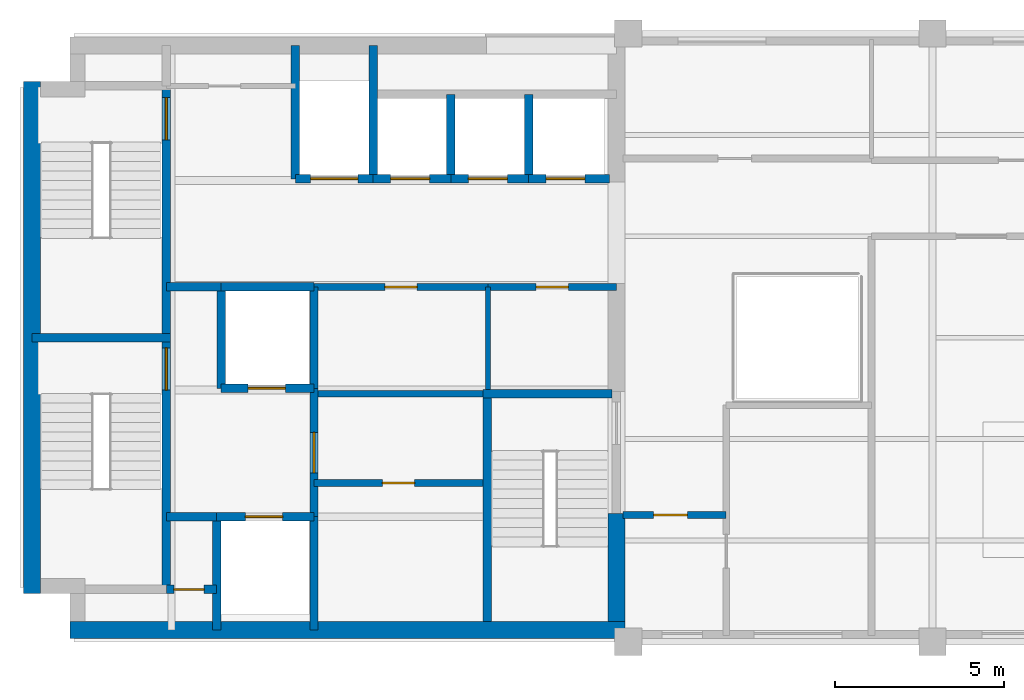
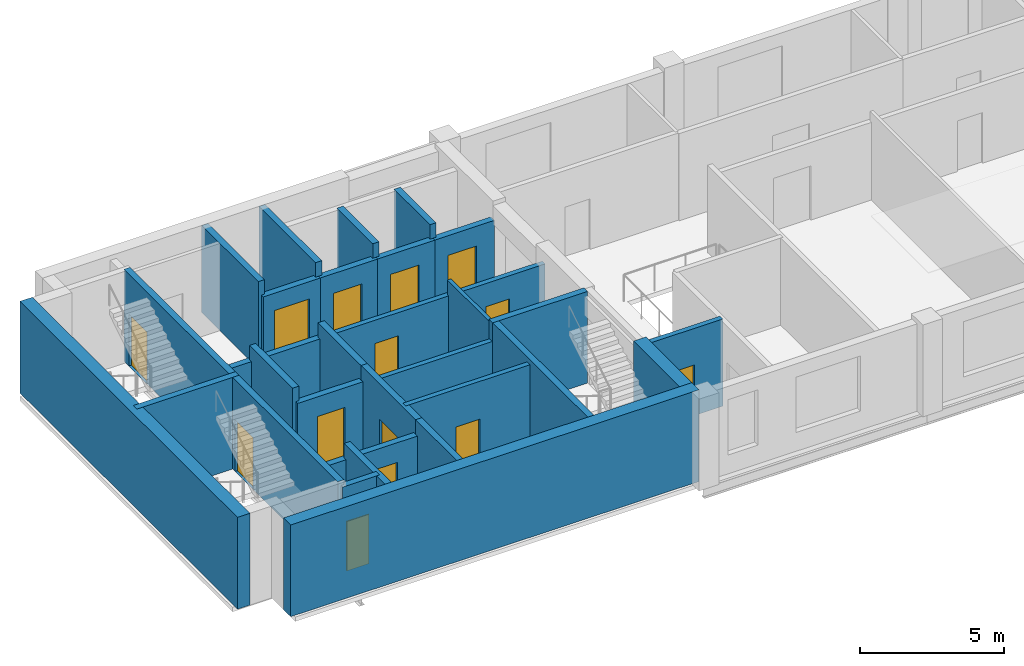
# One storey, part 2 of 5: 33 walls, 14 doors, 14 openings.
"""IFC4 building model written with IfcOpenShell, lengths in metres."""

from ifc_helpers import new_model, si_unit, direction, frame, frame_2d, origin, place, context, subcontext, project, spatial, rectangle, extrude, material, layer, layer_set, type_object, element, fill, save


model = new_model("IFC4")

# Units and contexts
model_context = context("Model", 3, precision=1e-05, world=origin(), true_north=direction((0.0, 1.0)))
body_context = subcontext(model_context, "Body", "Model", "MODEL_VIEW")
ifc_project = project(units=[si_unit("LENGTHUNIT", "METRE"), si_unit("AREAUNIT", "SQUARE_METRE"), si_unit("VOLUMEUNIT", "CUBIC_METRE"), si_unit("PLANEANGLEUNIT", "RADIAN"), si_unit("MASSUNIT", "GRAM", prefix="KILO")], contexts=[model_context])

# Site, building, storey
site_placement = place(None, origin())
site = spatial("IfcSite", under=ifc_project, at=site_placement, CompositionType="ELEMENT")
building_placement = place(site_placement, origin())
building = spatial("IfcBuilding", under=site, at=building_placement, Name="Mawjdan Bourse Tower", CompositionType="ELEMENT")
storey_placement = place(building_placement, frame((0.0, 0.0, 278.10009765625)))
storey = spatial("IfcBuildingStorey", under=building, at=storey_placement, Name="L68", CompositionType="ELEMENT", Elevation=278.10009765625)

# Wall, opening, door
ifc_material_1 = material(Name="Gypsum Fireboard Assembly")
ifc_layer_1 = layer(ifc_material_1, 0.199951171875)
ifc_layer_set_1 = layer_set([ifc_layer_1], Name="Gypsum Fireboard Assembly")
wall_type_1 = type_object("IfcWallType", Name="WL-CMP-200", PredefinedType="PARTITIONING", material=ifc_layer_set_1)
wall_1_placement = place(storey_placement, frame((14.699951171875, 7.699951171875, 0.0), z_axis=(0.0, 0.0, 1.0), x_axis=(1.0, 0.0, 0.0)))
wall_1 = element("IfcWall", 1, at=wall_1_placement, inside=storey, type_object=wall_type_1, Name="L68 Staff Tea Pantry North Wall", PredefinedType="PARTITIONING", context=body_context, shape_type="SweptSolid", body=[
    extrude(rectangle(XDim=5.0, YDim=0.199951171875, at=frame_2d((2.5, 0.0))), origin(), (0.0, 0.0, 1.0), 3.704833984375),
])
opening_1_placement = place(wall_1_placement, frame((2.02490234375, 0.0, 0.0)))
opening_1 = element("IfcOpeningElement", 2, at=opening_1_placement, cuts=wall_1, Name="Opening D-L68-13", PredefinedType="OPENING", context=body_context, shape_type="SweptSolid", body=[
    extrude(rectangle(XDim=0.949951171875, YDim=2.10009765625, at=frame_2d((0.47509765625, 1.050048828125))), frame((0.0, 0.10986328125, 0.0), z_axis=(0.0, -1.0, 0.0), x_axis=(1.0, 0.0, 0.0)), (0.0, 0.0, 1.0), 0.219970703125),
])
ifc_material_2 = material(Name="Moisture-Resistant Laminate Timber", Category="wood")
door_type_1 = type_object("IfcDoorType", Name="DR-WET-0950", OperationType="NOTDEFINED", PredefinedType="DOOR", material=ifc_material_2)
door_1_placement = place(opening_1_placement, origin())
door_1 = element("IfcDoor", 3, at=door_1_placement, inside=storey, type_object=door_type_1, Name="L68 Staff Tea Pantry Door D-L68-13", OperationType="SINGLE_SWING_LEFT", OverallHeight=2.10009765625, OverallWidth=0.949951171875, PredefinedType="DOOR", context=body_context, shape_type="SweptSolid", body=[
    extrude(rectangle(XDim=0.949951171875, YDim=2.10009765625, at=frame_2d((0.47509765625, 1.050048828125))), frame((0.0, 0.02490234375, 0.0), z_axis=(0.0, -1.0, 0.0), x_axis=(1.0, 0.0, 0.0)), (0.0, 0.0, 1.0), 0.050048828125),
])
fill(opening_1, door_1)

# Wall
wall_2_placement = place(storey_placement, frame((14.824951171875, 10.340087890625, 0.0), z_axis=(0.0, 0.0, 1.0), x_axis=(1.0, 0.0, 0.0)))
element("IfcWall", 4, at=wall_2_placement, inside=storey, type_object=wall_type_1, Name="L68 Core Restroom Suite South Wall", PredefinedType="PARTITIONING", context=body_context, shape_type="SweptSolid", body=[
    extrude(rectangle(XDim=4.880126953125, YDim=0.199951171875, at=frame_2d((2.43994140625, 0.0))), origin(), (0.0, 0.0, 1.0), 3.087890625),
])

# Wall, opening, door
wall_3_placement = place(storey_placement, frame((14.699951171875, 13.5, 0.0), z_axis=(0.0, 0.0, 1.0), x_axis=(1.0, 0.0, 0.0)))
wall_3 = element("IfcWall", 5, at=wall_3_placement, inside=storey, type_object=wall_type_1, Name="L68 Accessible WC North Wall", PredefinedType="PARTITIONING", context=body_context, shape_type="SweptSolid", body=[
    extrude(rectangle(XDim=5.150146484375, YDim=0.199951171875, at=frame_2d((2.5751953125, 0.0))), origin(), (0.0, 0.0, 1.0), 3.087890625),
])
opening_2_placement = place(wall_3_placement, frame((2.10009765625, 0.0, 0.0)))
opening_2 = element("IfcOpeningElement", 6, at=opening_2_placement, cuts=wall_3, Name="Opening D-L68-14", PredefinedType="OPENING", context=body_context, shape_type="SweptSolid", body=[
    extrude(rectangle(XDim=0.949951171875, YDim=2.10009765625, at=frame_2d((0.47509765625, 1.050048828125))), frame((0.0, 0.10986328125, 0.0), z_axis=(0.0, -1.0, 0.0), x_axis=(1.0, 0.0, 0.0)), (0.0, 0.0, 1.0), 0.219970703125),
])
door_2_placement = place(opening_2_placement, origin())
door_2 = element("IfcDoor", 7, at=door_2_placement, inside=storey, type_object=door_type_1, Name="L68 Accessible WC Door D-L68-14", OperationType="SINGLE_SWING_RIGHT", OverallHeight=2.10009765625, OverallWidth=0.949951171875, PredefinedType="DOOR", context=body_context, shape_type="SweptSolid", body=[
    extrude(rectangle(XDim=0.949951171875, YDim=2.10009765625, at=frame_2d((0.47509765625, 1.050048828125))), frame((0.0, 0.02490234375, 0.0), z_axis=(0.0, -1.0, 0.0), x_axis=(1.0, 0.0, 0.0)), (0.0, 0.0, 1.0), 0.050048828125),
])
fill(opening_2, door_2)

wall_4_placement = place(storey_placement, frame((19.85009765625, 13.5, 0.0), z_axis=(0.0, 0.0, 1.0), x_axis=(1.0, 0.0, 0.0)))
wall_4 = element("IfcWall", 8, at=wall_4_placement, inside=storey, type_object=wall_type_1, Name="L68 Executive Restroom Suite North Wall", PredefinedType="PARTITIONING", context=body_context, shape_type="SweptSolid", body=[
    extrude(rectangle(XDim=3.7998046875, YDim=0.199951171875, at=frame_2d((1.89990234375, 0.0))), origin(), (0.0, 0.0, 1.0), 3.087890625),
])
opening_3_placement = place(wall_4_placement, frame((1.425048828125, 0.0, 0.0)))
opening_3 = element("IfcOpeningElement", 9, at=opening_3_placement, cuts=wall_4, Name="Opening D-L68-15", PredefinedType="OPENING", context=body_context, shape_type="SweptSolid", body=[
    extrude(rectangle(XDim=0.949951171875, YDim=2.10009765625, at=frame_2d((0.47509765625, 1.050048828125))), frame((0.0, 0.10986328125, 0.0), z_axis=(0.0, -1.0, 0.0), x_axis=(1.0, 0.0, 0.0)), (0.0, 0.0, 1.0), 0.219970703125),
])
door_3_placement = place(opening_3_placement, origin())
door_3 = element("IfcDoor", 10, at=door_3_placement, inside=storey, type_object=door_type_1, Name="L68 Executive Restroom Suite Door D-L68-15", OperationType="SINGLE_SWING_LEFT", OverallHeight=2.10009765625, OverallWidth=0.949951171875, PredefinedType="DOOR", context=body_context, shape_type="SweptSolid", body=[
    extrude(rectangle(XDim=0.949951171875, YDim=2.10009765625, at=frame_2d((0.47509765625, 1.050048828125))), frame((0.0, 0.02490234375, 0.0), z_axis=(0.0, -1.0, 0.0), x_axis=(1.0, 0.0, 0.0)), (0.0, 0.0, 1.0), 0.050048828125),
])
fill(opening_3, door_3)

wall_5_placement = place(storey_placement, frame((23.85009765625, 6.75, 0.0), z_axis=(0.0, 0.0, 1.0), x_axis=(1.0, 0.0, 0.0)))
wall_5 = element("IfcWall", 11, at=wall_5_placement, inside=storey, type_object=wall_type_1, Name="L68 Summit SW Study North Wall", PredefinedType="PARTITIONING", context=body_context, shape_type="SweptSolid", body=[
    extrude(rectangle(XDim=3.0498046875, YDim=0.199951171875, at=frame_2d((1.52490234375, 0.0))), origin(), (0.0, 0.0, 1.0), 3.704833984375),
])
opening_4_placement = place(wall_5_placement, frame((0.89990234375, 0.0, 0.0)))
opening_4 = element("IfcOpeningElement", 12, at=opening_4_placement, cuts=wall_5, Name="Opening D-L68-17", PredefinedType="OPENING", context=body_context, shape_type="SweptSolid", body=[
    extrude(rectangle(XDim=1.0, YDim=2.14990234375, at=frame_2d((0.5, 1.074951171875))), frame((0.0, 0.10986328125, 0.0), z_axis=(0.0, -1.0, 0.0), x_axis=(1.0, 0.0, 0.0)), (0.0, 0.0, 1.0), 0.219970703125),
])
ifc_material_3 = material(Name="Hardwood Acoustic Leaf", Category="wood")
door_type_2 = type_object("IfcDoorType", Name="DR-OFC-1000", OperationType="NOTDEFINED", PredefinedType="DOOR", material=ifc_material_3)
door_4_placement = place(opening_4_placement, origin())
door_4 = element("IfcDoor", 13, at=door_4_placement, inside=storey, type_object=door_type_2, Name="L68 Summit SW Study Door D-L68-17", OperationType="SINGLE_SWING_LEFT", OverallHeight=2.14990234375, OverallWidth=1.0, PredefinedType="DOOR", context=body_context, shape_type="SweptSolid", body=[
    extrude(rectangle(XDim=1.0, YDim=2.14990234375, at=frame_2d((0.5, 1.074951171875))), frame((0.0, 0.02490234375, 0.0), z_axis=(0.0, -1.0, 0.0), x_axis=(1.0, 0.0, 0.0)), (0.0, 0.0, 1.0), 0.050048828125),
])
fill(opening_4, door_4)

# Walls
ifc_material_4 = material(Name="Concrete C60/75", Category="concrete")
ifc_layer_2 = layer(ifc_material_4, 0.5)
ifc_layer_set_2 = layer_set([ifc_layer_2], Name="Concrete C60/75")
wall_type_2 = type_object("IfcWallType", Name="WL-CORE-500", PredefinedType="SHEAR", material=ifc_layer_set_2)
wall_6_placement = place(storey_placement, frame((7.47509765625, 3.35009765625, 0.0), z_axis=(0.0, 0.0, 1.0), x_axis=(1.0, 0.0, 0.0)))
element("IfcWall", 14, at=wall_6_placement, inside=storey, type_object=wall_type_2, Name="L68 Rear Core Shear Wall S", PredefinedType="SHEAR", context=body_context, shape_type="SweptSolid", body=[
    extrude(rectangle(XDim=16.4248046875, YDim=0.5, at=frame_2d((8.21240234375, 0.0))), origin(), (0.0, 0.0, 1.0), 3.89990234375),
])
wall_7_placement = place(storey_placement, frame((6.35009765625, 4.425048828125, 0.0), z_axis=(0.0, 0.0, 1.0), x_axis=(0.0, 1.0, 0.0)))
element("IfcWall", 15, at=wall_7_placement, inside=storey, type_object=wall_type_2, Name="L68 Rear Core Shear Wall W", PredefinedType="SHEAR", context=body_context, shape_type="SweptSolid", body=[
    extrude(rectangle(XDim=15.14990234375, YDim=0.5, at=frame_2d((7.574951171875, 0.0))), origin(), (0.0, 0.0, 1.0), 3.89990234375),
])
wall_8_placement = place(storey_placement, frame((23.64990234375, 3.60009765625, 0.0), z_axis=(0.0, 0.0, 1.0), x_axis=(0.0, 1.0, 0.0)))
element("IfcWall", 16, at=wall_8_placement, inside=storey, type_object=wall_type_2, Name="L68 Rear Core Shear Wall E1", PredefinedType="SHEAR", context=body_context, shape_type="SweptSolid", body=[
    extrude(rectangle(XDim=3.199951171875, YDim=0.5, at=frame_2d((1.60009765625, 0.0))), origin(), (0.0, 0.0, 1.0), 3.89990234375),
])
ifc_material_5 = material(Name="Gypsum Acoustic Partition")
ifc_layer_3 = layer(ifc_material_5, 0.14990234375)
ifc_layer_set_3 = layer_set([ifc_layer_3], Name="Gypsum Acoustic Partition")
wall_type_3 = type_object("IfcWallType", Name="WL-PRT-150", PredefinedType="PARTITIONING", material=ifc_layer_set_3)
wall_9_placement = place(storey_placement, frame((19.85009765625, 10.465087890625, 0.0), z_axis=(0.0, 0.0, 1.0), x_axis=(0.0, 1.0, 0.0)))
element("IfcWall", 17, at=wall_9_placement, inside=storey, type_object=wall_type_3, Name="L68 Executive Restroom Suite Split Wall", PredefinedType="PARTITIONING", context=body_context, shape_type="SweptSolid", body=[
    extrude(rectangle(XDim=3.034912109375, YDim=0.14990234375, at=frame_2d((1.517578125, 0.0))), origin(), (0.0, 0.0, 1.0), 3.704833984375),
])

# Wall, opening, door
ifc_material_6 = material(Name="Concrete C50/60", Category="concrete")
ifc_layer_4 = layer(ifc_material_6, 0.25)
ifc_layer_set_4 = layer_set([ifc_layer_4], Name="Concrete C50/60")
wall_type_4 = type_object("IfcWallType", Name="WL-SHFT-250", PredefinedType="PARTITIONING", material=ifc_layer_set_4)
wall_10_placement = place(storey_placement, frame((10.330078125, 4.550048828125, 0.0), z_axis=(0.0, 0.0, 1.0), x_axis=(1.0, 0.0, 0.0)))
wall_10 = element("IfcWall", 18, at=wall_10_placement, inside=storey, type_object=wall_type_4, Name="L68 SW Riser North Wall", PredefinedType="PARTITIONING", context=body_context, shape_type="SweptSolid", body=[
    extrude(rectangle(XDim=1.489990234375, YDim=0.25, at=frame_2d((0.7451171875, 0.0))), origin(), (0.0, 0.0, 1.0), 3.704833984375),
])
opening_5_placement = place(wall_10_placement, frame((0.219970703125, 0.0, 0.0)))
opening_5 = element("IfcOpeningElement", 19, at=opening_5_placement, cuts=wall_10, Name="Opening RD-L68-03", PredefinedType="OPENING", context=body_context, shape_type="SweptSolid", body=[
    extrude(rectangle(XDim=0.89990234375, YDim=2.10009765625, at=frame_2d((0.449951171875, 1.050048828125))), frame((0.0, 0.135009765625, 0.0), z_axis=(0.0, -1.0, 0.0), x_axis=(1.0, 0.0, 0.0)), (0.0, 0.0, 1.0), 0.27001953125),
])
ifc_material_7 = material(Name="Fire-Rated Steel Access Leaf", Category="steel")
door_type_3 = type_object("IfcDoorType", Name="FD-RSR-0900", OperationType="NOTDEFINED", PredefinedType="TRAPDOOR", material=ifc_material_7)
door_5_placement = place(opening_5_placement, origin())
door_5 = element("IfcDoor", 20, at=door_5_placement, inside=storey, type_object=door_type_3, Name="L68 Electrical Riser Access Door RD-L68-03", OperationType="SINGLE_SWING_LEFT", OverallHeight=2.10009765625, OverallWidth=0.89990234375, PredefinedType="TRAPDOOR", context=body_context, shape_type="SweptSolid", body=[
    extrude(rectangle(XDim=0.89990234375, YDim=2.10009765625, at=frame_2d((0.449951171875, 1.050048828125))), frame((0.0, 0.02490234375, 0.0), z_axis=(0.0, -1.0, 0.0), x_axis=(1.0, 0.0, 0.0)), (0.0, 0.0, 1.0), 0.050048828125),
])
fill(opening_5, door_5)

# Wall
wall_11_placement = place(storey_placement, frame((11.820068359375, 3.35009765625, 0.0), z_axis=(0.0, 0.0, 1.0), x_axis=(0.0, 1.0, 0.0)))
element("IfcWall", 21, at=wall_11_placement, inside=storey, type_object=wall_type_4, Name="L68 SW Riser & FFL01 West Wall", PredefinedType="PARTITIONING", context=body_context, shape_type="SweptSolid", body=[
    extrude(rectangle(XDim=3.349853515625, YDim=0.25, at=frame_2d((1.6748046875, 0.0))), origin(), (0.0, 0.0, 1.0), 3.704833984375),
])

# Wall, opening, door
wall_12_placement = place(storey_placement, frame((11.820068359375, 6.699951171875, 0.0), z_axis=(0.0, 0.0, 1.0), x_axis=(1.0, 0.0, 0.0)))
wall_12 = element("IfcWall", 22, at=wall_12_placement, inside=storey, type_object=wall_type_4, Name="L68 FFL-01 Front Shaft Wall", PredefinedType="PARTITIONING", context=body_context, shape_type="SweptSolid", body=[
    extrude(rectangle(XDim=2.8798828125, YDim=0.25, at=frame_2d((1.43994140625, 0.0))), origin(), (0.0, 0.0, 1.0), 3.087890625),
])
opening_6_placement = place(wall_12_placement, frame((0.85009765625, 0.0, 0.0)))
opening_6 = element("IfcOpeningElement", 23, at=opening_6_placement, cuts=wall_12, Name="Opening LD-L68-05", PredefinedType="OPENING", context=body_context, shape_type="SweptSolid", body=[
    extrude(rectangle(XDim=1.10009765625, YDim=2.25, at=frame_2d((0.550048828125, 1.125))), frame((0.0, 0.135009765625, 0.0), z_axis=(0.0, -1.0, 0.0), x_axis=(1.0, 0.0, 0.0)), (0.0, 0.0, 1.0), 0.27001953125),
])
ifc_material_8 = material(Name="Brushed Stainless Steel", Category="steel")
door_type_4 = type_object("IfcDoorType", Name="LD-FFL-1100", OperationType="DOUBLE_DOOR_SLIDING", PredefinedType="DOOR", material=ifc_material_8)
door_6_placement = place(opening_6_placement, origin())
door_6 = element("IfcDoor", 24, at=door_6_placement, inside=storey, type_object=door_type_4, Name="L68 Firefighting Lift FFL-01 Landing Door LD-L68-05", OperationType="DOUBLE_DOOR_SLIDING", OverallHeight=2.25, OverallWidth=1.10009765625, PredefinedType="DOOR", context=body_context, shape_type="SweptSolid", body=[
    extrude(rectangle(XDim=1.10009765625, YDim=2.25, at=frame_2d((0.550048828125, 1.125))), frame((0.0, 0.02490234375, 0.0), z_axis=(0.0, -1.0, 0.0), x_axis=(1.0, 0.0, 0.0)), (0.0, 0.0, 1.0), 0.050048828125),
])
fill(opening_6, door_6)

# Wall
wall_13_placement = place(storey_placement, frame((14.699951171875, 3.35009765625, 0.0), z_axis=(0.0, 0.0, 1.0), x_axis=(0.0, 1.0, 0.0)))
element("IfcWall", 25, at=wall_13_placement, inside=storey, type_object=wall_type_4, Name="L68 FFL-01 East Shaft Wall", PredefinedType="PARTITIONING", context=body_context, shape_type="SweptSolid", body=[
    extrude(rectangle(XDim=3.349853515625, YDim=0.25, at=frame_2d((1.6748046875, 0.0))), origin(), (0.0, 0.0, 1.0), 3.704833984375),
])

# Wall, opening, door
wall_14_placement = place(storey_placement, frame((11.949951171875, 10.5, 0.0), z_axis=(0.0, 0.0, 1.0), x_axis=(1.0, 0.0, 0.0)))
wall_14 = element("IfcWall", 26, at=wall_14_placement, inside=storey, type_object=wall_type_4, Name="L68 FFL-02 Front Shaft Wall", PredefinedType="PARTITIONING", context=body_context, shape_type="SweptSolid", body=[
    extrude(rectangle(XDim=2.75, YDim=0.25, at=frame_2d((1.375, 0.0))), origin(), (0.0, 0.0, 1.0), 3.087890625),
])
opening_7_placement = place(wall_14_placement, frame((0.800048828125, 0.0, 0.0)))
opening_7 = element("IfcOpeningElement", 27, at=opening_7_placement, cuts=wall_14, Name="Opening LD-L68-06", PredefinedType="OPENING", context=body_context, shape_type="SweptSolid", body=[
    extrude(rectangle(XDim=1.10009765625, YDim=2.25, at=frame_2d((0.550048828125, 1.125))), frame((0.0, 0.135009765625, 0.0), z_axis=(0.0, -1.0, 0.0), x_axis=(1.0, 0.0, 0.0)), (0.0, 0.0, 1.0), 0.27001953125),
])
door_7_placement = place(opening_7_placement, origin())
door_7 = element("IfcDoor", 28, at=door_7_placement, inside=storey, type_object=door_type_4, Name="L68 Firefighting Lift FFL-02 Landing Door LD-L68-06", OperationType="DOUBLE_DOOR_SLIDING", OverallHeight=2.25, OverallWidth=1.10009765625, PredefinedType="DOOR", context=body_context, shape_type="SweptSolid", body=[
    extrude(rectangle(XDim=1.10009765625, YDim=2.25, at=frame_2d((0.550048828125, 1.125))), frame((0.0, 0.02490234375, 0.0), z_axis=(0.0, -1.0, 0.0), x_axis=(1.0, 0.0, 0.0)), (0.0, 0.0, 1.0), 0.050048828125),
])
fill(opening_7, door_7)

# Walls
wall_15_placement = place(storey_placement, frame((11.949951171875, 10.5, 0.0), z_axis=(0.0, 0.0, 1.0), x_axis=(0.0, 1.0, 0.0)))
element("IfcWall", 29, at=wall_15_placement, inside=storey, type_object=wall_type_4, Name="L68 FFL-02 West Shaft Wall", PredefinedType="PARTITIONING", context=body_context, shape_type="SweptSolid", body=[
    extrude(rectangle(XDim=3.0, YDim=0.25, at=frame_2d((1.5, 0.0))), origin(), (0.0, 0.0, 1.0), 3.704833984375),
])
wall_16_placement = place(storey_placement, frame((11.949951171875, 13.5, 0.0), z_axis=(0.0, 0.0, 1.0), x_axis=(1.0, 0.0, 0.0)))
element("IfcWall", 30, at=wall_16_placement, inside=storey, type_object=wall_type_4, Name="L68 FFL-02 North Shaft Wall", PredefinedType="PARTITIONING", context=body_context, shape_type="SweptSolid", body=[
    extrude(rectangle(XDim=2.75, YDim=0.25, at=frame_2d((1.375, 0.0))), origin(), (0.0, 0.0, 1.0), 3.087890625),
])
wall_17_placement = place(storey_placement, frame((14.699951171875, 10.5, 0.0), z_axis=(0.0, 0.0, 1.0), x_axis=(0.0, 1.0, 0.0)))
element("IfcWall", 31, at=wall_17_placement, inside=storey, type_object=wall_type_4, Name="L68 FFL-02 East Shaft Wall", PredefinedType="PARTITIONING", context=body_context, shape_type="SweptSolid", body=[
    extrude(rectangle(XDim=3.0, YDim=0.25, at=frame_2d((1.5, 0.0))), origin(), (0.0, 0.0, 1.0), 3.704833984375),
])

# Wall, opening, door
wall_18_placement = place(storey_placement, frame((14.699951171875, 6.699951171875, 0.0), z_axis=(0.0, 0.0, 1.0), x_axis=(0.0, 1.0, 0.0)))
wall_18 = element("IfcWall", 32, at=wall_18_placement, inside=storey, type_object=wall_type_4, Name="L68 Firefighting Lobby East Compartment Wall", PredefinedType="PARTITIONING", context=body_context, shape_type="SweptSolid", body=[
    extrude(rectangle(XDim=3.800048828125, YDim=0.25, at=frame_2d((1.89990234375, 0.0))), origin(), (0.0, 0.0, 1.0), 3.704833984375),
])
opening_8_placement = place(wall_18_placement, frame((1.300048828125, 0.0, 0.0)))
opening_8 = element("IfcOpeningElement", 33, at=opening_8_placement, cuts=wall_18, Name="Opening FD-L68-07", PredefinedType="OPENING", context=body_context, shape_type="SweptSolid", body=[
    extrude(rectangle(XDim=1.199951171875, YDim=2.199951171875, at=frame_2d((0.60009765625, 1.10009765625))), frame((0.0, 0.135009765625, 0.0), z_axis=(0.0, -1.0, 0.0), x_axis=(1.0, 0.0, 0.0)), (0.0, 0.0, 1.0), 0.27001953125),
])
ifc_material_9 = material(Name="Fire-Rated Steel Leaf", Category="steel")
door_type_5 = type_object("IfcDoorType", Name="FD-FFL-1200", OperationType="NOTDEFINED", PredefinedType="DOOR", material=ifc_material_9)
door_8_placement = place(opening_8_placement, origin())
door_8 = element("IfcDoor", 34, at=door_8_placement, inside=storey, type_object=door_type_5, Name="L68 Firefighting Lobby East Smoke Door FD-L68-07", OperationType="SINGLE_SWING_LEFT", OverallHeight=2.199951171875, OverallWidth=1.199951171875, PredefinedType="DOOR", context=body_context, shape_type="SweptSolid", body=[
    extrude(rectangle(XDim=1.199951171875, YDim=2.199951171875, at=frame_2d((0.60009765625, 1.10009765625))), frame((0.0, 0.02490234375, 0.0), z_axis=(0.0, -1.0, 0.0), x_axis=(1.0, 0.0, 0.0)), (0.0, 0.0, 1.0), 0.050048828125),
])
fill(opening_8, door_8)

# Walls
wall_19_placement = place(storey_placement, frame((10.330078125, 13.5, 0.0), z_axis=(0.0, 0.0, 1.0), x_axis=(1.0, 0.0, 0.0)))
element("IfcWall", 35, at=wall_19_placement, inside=storey, type_object=wall_type_4, Name="L68 Firefighting Lobby North Compartment Wall", PredefinedType="PARTITIONING", context=body_context, shape_type="SweptSolid", body=[
    extrude(rectangle(XDim=1.619873046875, YDim=0.25, at=frame_2d((0.81005859375, 0.0))), origin(), (0.0, 0.0, 1.0), 3.087890625),
])
wall_20_placement = place(storey_placement, frame((10.330078125, 6.699951171875, 0.0), z_axis=(0.0, 0.0, 1.0), x_axis=(1.0, 0.0, 0.0)))
element("IfcWall", 36, at=wall_20_placement, inside=storey, type_object=wall_type_4, Name="L68 Firefighting Lobby South Closure Wall", PredefinedType="PARTITIONING", context=body_context, shape_type="SweptSolid", body=[
    extrude(rectangle(XDim=1.489990234375, YDim=0.25, at=frame_2d((0.7451171875, 0.0))), origin(), (0.0, 0.0, 1.0), 3.087890625),
])

# Wall, opening, door
wall_21_placement = place(storey_placement, frame((14.14990234375, 16.699951171875, 0.0), z_axis=(0.0, 0.0, 1.0), x_axis=(1.0, 0.0, 0.0)))
wall_21 = element("IfcWall", 37, at=wall_21_placement, inside=storey, type_object=wall_type_4, Name="L68 SVL-01 Front Shaft Wall", PredefinedType="PARTITIONING", context=body_context, shape_type="SweptSolid", body=[
    extrude(rectangle(XDim=2.300048828125, YDim=0.25, at=frame_2d((1.14990234375, 0.0))), origin(), (0.0, 0.0, 1.0), 3.087890625),
])
opening_9_placement = place(wall_21_placement, frame((0.449951171875, 0.0, 0.0)))
opening_9 = element("IfcOpeningElement", 38, at=opening_9_placement, cuts=wall_21, Name="Opening LD-L68-09", PredefinedType="OPENING", context=body_context, shape_type="SweptSolid", body=[
    extrude(rectangle(XDim=1.39990234375, YDim=2.35009765625, at=frame_2d((0.699951171875, 1.175048828125))), frame((0.0, 0.135009765625, 0.0), z_axis=(0.0, -1.0, 0.0), x_axis=(1.0, 0.0, 0.0)), (0.0, 0.0, 1.0), 0.27001953125),
])
ifc_material_10 = material(Name="Heavy-Duty Stainless Steel", Category="steel")
door_type_6 = type_object("IfcDoorType", Name="LD-SRV-1400", OperationType="DOUBLE_DOOR_SLIDING", PredefinedType="DOOR", material=ifc_material_10)
door_9_placement = place(opening_9_placement, origin())
door_9 = element("IfcDoor", 39, at=door_9_placement, inside=storey, type_object=door_type_6, Name="L68 Service Lift SVL-01 Landing Door LD-L68-09", OperationType="DOUBLE_DOOR_SLIDING", OverallHeight=2.35009765625, OverallWidth=1.39990234375, PredefinedType="DOOR", context=body_context, shape_type="SweptSolid", body=[
    extrude(rectangle(XDim=1.39990234375, YDim=2.35009765625, at=frame_2d((0.699951171875, 1.175048828125))), frame((0.0, 0.02490234375, 0.0), z_axis=(0.0, -1.0, 0.0), x_axis=(1.0, 0.0, 0.0)), (0.0, 0.0, 1.0), 0.050048828125),
])
fill(opening_9, door_9)

# Walls
for number, where, z_axis, x_axis, name in (
    (40, (14.14990234375, 16.699951171875, 0.0), (0.0, 0.0, 1.0), (0.0, 1.0, 0.0), "L68 SVL-01 West Shaft Wall"),
    (41, (16.449951171875, 16.699951171875, 0.0), (0.0, 0.0, 1.0), (0.0, 1.0, 0.0), "L68 SVL-01 East Shaft Wall"),
):
    element("IfcWall", number, at=place(storey_placement, frame(where, z_axis=z_axis, x_axis=x_axis)), inside=storey, type_object=wall_type_4, Name=name, PredefinedType="PARTITIONING", context=body_context, shape_type="SweptSolid", body=[
        extrude(rectangle(XDim=3.949951171875, YDim=0.25, at=frame_2d((1.97509765625, 0.0))), origin(), (0.0, 0.0, 1.0), 3.704833984375),
    ])

# Wall, opening, door
wall_22_placement = place(storey_placement, frame((16.449951171875, 16.699951171875, 0.0), z_axis=(0.0, 0.0, 1.0), x_axis=(1.0, 0.0, 0.0)))
wall_22 = element("IfcWall", 42, at=wall_22_placement, inside=storey, type_object=wall_type_4, Name="L68 PH-01 Front Wall", PredefinedType="PARTITIONING", context=body_context, shape_type="SweptSolid", body=[
    extrude(rectangle(XDim=2.300048828125, YDim=0.25, at=frame_2d((1.14990234375, 0.0))), origin(), (0.0, 0.0, 1.0), 3.087890625),
])
opening_10_placement = place(wall_22_placement, frame((0.52001953125, 0.0, 0.0)))
opening_10 = element("IfcOpeningElement", 43, at=opening_10_placement, cuts=wall_22, Name="Opening LD-L68-10", PredefinedType="OPENING", context=body_context, shape_type="SweptSolid", body=[
    extrude(rectangle(XDim=1.14990234375, YDim=2.25, at=frame_2d((0.574951171875, 1.125))), frame((0.0, 0.135009765625, 0.0), z_axis=(0.0, -1.0, 0.0), x_axis=(1.0, 0.0, 0.0)), (0.0, 0.0, 1.0), 0.27001953125),
])
door_type_7 = type_object("IfcDoorType", Name="LD-PAS-1150", OperationType="DOUBLE_DOOR_SLIDING", PredefinedType="DOOR", material=ifc_material_8)
door_10_placement = place(opening_10_placement, origin())
door_10 = element("IfcDoor", 44, at=door_10_placement, inside=storey, type_object=door_type_7, Name="L68 Lift PH-01 Landing Door LD-L68-10", OperationType="DOUBLE_DOOR_SLIDING", OverallHeight=2.25, OverallWidth=1.14990234375, PredefinedType="DOOR", context=body_context, shape_type="SweptSolid", body=[
    extrude(rectangle(XDim=1.14990234375, YDim=2.25, at=frame_2d((0.574951171875, 1.125))), frame((0.0, 0.02490234375, 0.0), z_axis=(0.0, -1.0, 0.0), x_axis=(1.0, 0.0, 0.0)), (0.0, 0.0, 1.0), 0.050048828125),
])
fill(opening_10, door_10)

# Wall
wall_23_placement = place(storey_placement, frame((18.75, 16.699951171875, 0.0), z_axis=(0.0, 0.0, 1.0), x_axis=(0.0, 1.0, 0.0)))
element("IfcWall", 45, at=wall_23_placement, inside=storey, type_object=wall_type_4, Name="L68 PH-01 Divider Wall", PredefinedType="PARTITIONING", context=body_context, shape_type="SweptSolid", body=[
    extrude(rectangle(XDim=2.5, YDim=0.25, at=frame_2d((1.25, 0.0))), origin(), (0.0, 0.0, 1.0), 3.704833984375),
])

# Wall, opening, door
wall_24_placement = place(storey_placement, frame((18.75, 16.699951171875, 0.0), z_axis=(0.0, 0.0, 1.0), x_axis=(1.0, 0.0, 0.0)))
wall_24 = element("IfcWall", 46, at=wall_24_placement, inside=storey, type_object=wall_type_4, Name="L68 PH-02 Front Wall", PredefinedType="PARTITIONING", context=body_context, shape_type="SweptSolid", body=[
    extrude(rectangle(XDim=2.300048828125, YDim=0.25, at=frame_2d((1.14990234375, 0.0))), origin(), (0.0, 0.0, 1.0), 3.087890625),
])
opening_11_placement = place(wall_24_placement, frame((0.52001953125, 0.0, 0.0)))
opening_11 = element("IfcOpeningElement", 47, at=opening_11_placement, cuts=wall_24, Name="Opening LD-L68-11", PredefinedType="OPENING", context=body_context, shape_type="SweptSolid", body=[
    extrude(rectangle(XDim=1.14990234375, YDim=2.25, at=frame_2d((0.574951171875, 1.125))), frame((0.0, 0.135009765625, 0.0), z_axis=(0.0, -1.0, 0.0), x_axis=(1.0, 0.0, 0.0)), (0.0, 0.0, 1.0), 0.27001953125),
])
door_11_placement = place(opening_11_placement, origin())
door_11 = element("IfcDoor", 48, at=door_11_placement, inside=storey, type_object=door_type_7, Name="L68 Lift PH-02 Landing Door LD-L68-11", OperationType="DOUBLE_DOOR_SLIDING", OverallHeight=2.25, OverallWidth=1.14990234375, PredefinedType="DOOR", context=body_context, shape_type="SweptSolid", body=[
    extrude(rectangle(XDim=1.14990234375, YDim=2.25, at=frame_2d((0.574951171875, 1.125))), frame((0.0, 0.02490234375, 0.0), z_axis=(0.0, -1.0, 0.0), x_axis=(1.0, 0.0, 0.0)), (0.0, 0.0, 1.0), 0.050048828125),
])
fill(opening_11, door_11)

# Wall
wall_25_placement = place(storey_placement, frame((21.050048828125, 16.699951171875, 0.0), z_axis=(0.0, 0.0, 1.0), x_axis=(0.0, 1.0, 0.0)))
element("IfcWall", 49, at=wall_25_placement, inside=storey, type_object=wall_type_4, Name="L68 PH-02 Divider Wall", PredefinedType="PARTITIONING", context=body_context, shape_type="SweptSolid", body=[
    extrude(rectangle(XDim=2.5, YDim=0.25, at=frame_2d((1.25, 0.0))), origin(), (0.0, 0.0, 1.0), 3.704833984375),
])

# Wall, opening, door
wall_26_placement = place(storey_placement, frame((21.050048828125, 16.699951171875, 0.0), z_axis=(0.0, 0.0, 1.0), x_axis=(1.0, 0.0, 0.0)))
wall_26 = element("IfcWall", 50, at=wall_26_placement, inside=storey, type_object=wall_type_4, Name="L68 PH-03 Front Wall", PredefinedType="PARTITIONING", context=body_context, shape_type="SweptSolid", body=[
    extrude(rectangle(XDim=2.39990234375, YDim=0.25, at=frame_2d((1.199951171875, 0.0))), origin(), (0.0, 0.0, 1.0), 3.087890625),
])
opening_12_placement = place(wall_26_placement, frame((0.52001953125, 0.0, 0.0)))
opening_12 = element("IfcOpeningElement", 51, at=opening_12_placement, cuts=wall_26, Name="Opening LD-L68-12", PredefinedType="OPENING", context=body_context, shape_type="SweptSolid", body=[
    extrude(rectangle(XDim=1.14990234375, YDim=2.25, at=frame_2d((0.574951171875, 1.125))), frame((0.0, 0.135009765625, 0.0), z_axis=(0.0, -1.0, 0.0), x_axis=(1.0, 0.0, 0.0)), (0.0, 0.0, 1.0), 0.27001953125),
])
door_12_placement = place(opening_12_placement, origin())
door_12 = element("IfcDoor", 52, at=door_12_placement, inside=storey, type_object=door_type_7, Name="L68 Lift PH-03 Landing Door LD-L68-12", OperationType="DOUBLE_DOOR_SLIDING", OverallHeight=2.25, OverallWidth=1.14990234375, PredefinedType="DOOR", context=body_context, shape_type="SweptSolid", body=[
    extrude(rectangle(XDim=1.14990234375, YDim=2.25, at=frame_2d((0.574951171875, 1.125))), frame((0.0, 0.02490234375, 0.0), z_axis=(0.0, -1.0, 0.0), x_axis=(1.0, 0.0, 0.0)), (0.0, 0.0, 1.0), 0.050048828125),
])
fill(opening_12, door_12)

# Wall
ifc_layer_5 = layer(ifc_material_6, 0.25)
ifc_layer_set_5 = layer_set([ifc_layer_5], Name="Concrete C50/60")
wall_type_5 = type_object("IfcWallType", Name="WL-STRW-250", PredefinedType="SHEAR", material=ifc_layer_set_5)
wall_27_placement = place(storey_placement, frame((6.35009765625, 12.0, 0.0), z_axis=(0.0, 0.0, 1.0), x_axis=(1.0, 0.0, 0.0)))
element("IfcWall", 53, at=wall_27_placement, inside=storey, type_object=wall_type_5, Name="L68 Stairwell Dividing Shaft Wall", PredefinedType="SHEAR", context=body_context, shape_type="SweptSolid", body=[
    extrude(rectangle(XDim=4.10498046875, YDim=0.25, at=frame_2d((2.052490234375, 0.0))), origin(), (0.0, 0.0, 1.0), 3.89990234375),
])

# Wall, opening, door
wall_28_placement = place(storey_placement, frame((10.330078125, 4.550048828125, 0.0), z_axis=(0.0, 0.0, 1.0), x_axis=(0.0, 1.0, 0.0)))
wall_28 = element("IfcWall", 54, at=wall_28_placement, inside=storey, type_object=wall_type_5, Name="L68 Stairwell ST1 East Enclosure Wall", PredefinedType="SHEAR", context=body_context, shape_type="SweptSolid", body=[
    extrude(rectangle(XDim=7.449951171875, YDim=0.25, at=frame_2d((3.72509765625, 0.0))), origin(), (0.0, 0.0, 1.0), 3.89990234375),
])
opening_13_placement = place(wall_28_placement, frame((5.89990234375, 0.0, 0.0)))
opening_13 = element("IfcOpeningElement", 55, at=opening_13_placement, cuts=wall_28, Name="Opening SD-L68-01", PredefinedType="OPENING", context=body_context, shape_type="SweptSolid", body=[
    extrude(rectangle(XDim=1.25, YDim=2.199951171875, at=frame_2d((0.625, 1.10009765625))), frame((0.0, 0.135009765625, 0.0), z_axis=(0.0, -1.0, 0.0), x_axis=(1.0, 0.0, 0.0)), (0.0, 0.0, 1.0), 0.27001953125),
])
door_type_8 = type_object("IfcDoorType", Name="FD-ST-1250", OperationType="NOTDEFINED", PredefinedType="DOOR", material=ifc_material_9)
door_13_placement = place(opening_13_placement, origin())
door_13 = element("IfcDoor", 56, at=door_13_placement, inside=storey, type_object=door_type_8, Name="L68 Exit Stair ST1 Fire Door SD-L68-01", OperationType="SINGLE_SWING_LEFT", OverallHeight=2.199951171875, OverallWidth=1.25, PredefinedType="DOOR", context=body_context, shape_type="SweptSolid", body=[
    extrude(rectangle(XDim=1.25, YDim=2.199951171875, at=frame_2d((0.625, 1.10009765625))), frame((0.0, 0.02490234375, 0.0), z_axis=(0.0, -1.0, 0.0), x_axis=(1.0, 0.0, 0.0)), (0.0, 0.0, 1.0), 0.050048828125),
])
fill(opening_13, door_13)

wall_29_placement = place(storey_placement, frame((10.330078125, 12.0, 0.0), z_axis=(0.0, 0.0, 1.0), x_axis=(0.0, 1.0, 0.0)))
wall_29 = element("IfcWall", 57, at=wall_29_placement, inside=storey, type_object=wall_type_5, Name="L68 Stairwell ST2 East Enclosure Wall", PredefinedType="SHEAR", context=body_context, shape_type="SweptSolid", body=[
    extrude(rectangle(XDim=7.449951171875, YDim=0.25, at=frame_2d((3.72509765625, 0.0))), origin(), (0.0, 0.0, 1.0), 3.89990234375),
])
opening_14_placement = place(wall_29_placement, frame((5.85009765625, 0.0, 0.0)))
opening_14 = element("IfcOpeningElement", 58, at=opening_14_placement, cuts=wall_29, Name="Opening SD-L68-02", PredefinedType="OPENING", context=body_context, shape_type="SweptSolid", body=[
    extrude(rectangle(XDim=1.25, YDim=2.199951171875, at=frame_2d((0.625, 1.10009765625))), frame((0.0, 0.135009765625, 0.0), z_axis=(0.0, -1.0, 0.0), x_axis=(1.0, 0.0, 0.0)), (0.0, 0.0, 1.0), 0.27001953125),
])
door_14_placement = place(opening_14_placement, origin())
door_14 = element("IfcDoor", 59, at=door_14_placement, inside=storey, type_object=door_type_8, Name="L68 Exit Stair ST2 Fire Door SD-L68-02", OperationType="SINGLE_SWING_RIGHT", OverallHeight=2.199951171875, OverallWidth=1.25, PredefinedType="DOOR", context=body_context, shape_type="SweptSolid", body=[
    extrude(rectangle(XDim=1.25, YDim=2.199951171875, at=frame_2d((0.625, 1.10009765625))), frame((0.0, 0.02490234375, 0.0), z_axis=(0.0, -1.0, 0.0), x_axis=(1.0, 0.0, 0.0)), (0.0, 0.0, 1.0), 0.050048828125),
])
fill(opening_14, door_14)

# Walls
wall_30_placement = place(storey_placement, frame((19.830078125, 3.60009765625, 0.0), z_axis=(0.0, 0.0, 1.0), x_axis=(0.0, 1.0, 0.0)))
element("IfcWall", 60, at=wall_30_placement, inside=storey, type_object=wall_type_5, Name="L68 ST7 West Shaft Wall", PredefinedType="SHEAR", context=body_context, shape_type="SweptSolid", body=[
    extrude(rectangle(XDim=6.739990234375, YDim=0.25, at=frame_2d((3.3701171875, 0.0))), origin(), (0.0, 0.0, 1.0), 3.89990234375),
])
wall_31_placement = place(storey_placement, frame((19.705078125, 10.340087890625, 0.0), z_axis=(0.0, 0.0, 1.0), x_axis=(1.0, 0.0, 0.0)))
element("IfcWall", 61, at=wall_31_placement, inside=storey, type_object=wall_type_5, Name="L68 ST7 North Shaft Wall", PredefinedType="SHEAR", context=body_context, shape_type="SweptSolid", body=[
    extrude(rectangle(XDim=3.81982421875, YDim=0.25, at=frame_2d((1.909912109375, 0.0))), origin(), (0.0, 0.0, 1.0), 3.89990234375),
])

save(model, "model.ifc")
